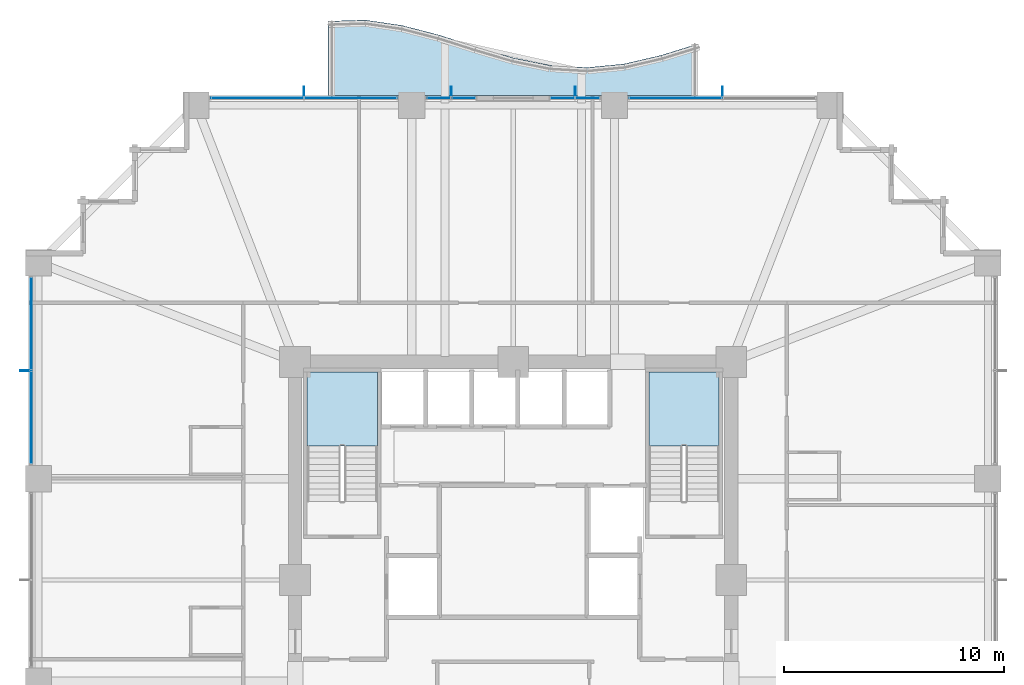
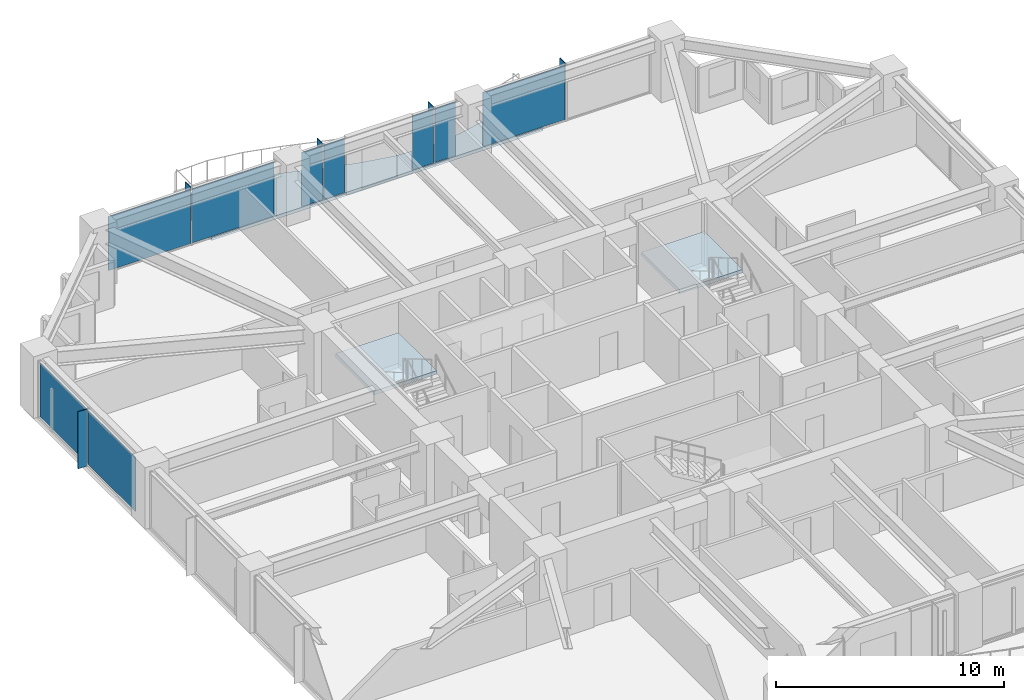
# One storey, part 30 of 38: 14 plates, 3 slabs, 7 elements without a shape of their own.
"""IFC4 building model written with IfcOpenShell, lengths in metres."""

from ifc_helpers import new_model, si_unit, direction, frame, origin, origin_2d, place, context, subcontext, project, spatial, polyline, rectangle, outline, extrude, material, layer, layer_set, type_object, element, aggregate, save


model = new_model("IFC4")

# Units and contexts
model_context = context("Model", 3, precision=1e-05, world=origin(), true_north=direction((0.0, 1.0)))
body_context = subcontext(model_context, "Body", "Model", "MODEL_VIEW")
ifc_project = project(units=[si_unit("LENGTHUNIT", "METRE"), si_unit("AREAUNIT", "SQUARE_METRE"), si_unit("VOLUMEUNIT", "CUBIC_METRE"), si_unit("PLANEANGLEUNIT", "RADIAN"), si_unit("MASSUNIT", "GRAM", prefix="KILO")], contexts=[model_context])

# Site, building, storey
site_placement = place(None, origin())
site = spatial("IfcSite", under=ifc_project, at=site_placement, CompositionType="ELEMENT")
building_placement = place(site_placement, origin())
building = spatial("IfcBuilding", under=site, at=building_placement, Name="Kolvaren Belvedere", CompositionType="ELEMENT")
storey_placement = place(building_placement, frame((0.0, 0.0, 30.39990234375)))
storey = spatial("IfcBuildingStorey", under=building, at=storey_placement, Name="L08", CompositionType="ELEMENT", Elevation=30.39990234375)

# Curtain wall, plates
ifc_material_1 = material(Name="Anodised pale-metal aluminium AA 6063-T6", Category="aluminium")
curtain_wall_type = type_object("IfcCurtainWallType", Name="CW-Z1-LOW", PredefinedType="NOTDEFINED", material=ifc_material_1)
curtain_wall_1_placement = place(storey_placement, origin())
curtain_wall_1 = element("IfcCurtainWall", 1, at=curtain_wall_1_placement, inside=storey, type_object=curtain_wall_type, Name="L08 Unitised Curtain Wall FCW-L08-N1-B1", PredefinedType="NOTDEFINED")
ifc_material_2 = material(Name="Low-iron triple insulated glass", Category="glass")
ifc_layer_1 = layer(ifc_material_2, 0.028076171875)
ifc_layer_set_1 = layer_set([ifc_layer_1], Name="Low-iron triple insulated glass")
plate_type_1 = type_object("IfcPlateType", Name="CW-PNL-VIS28", PredefinedType="CURTAIN_PANEL", material=ifc_layer_set_1)
plate_1_placement = place(storey_placement, frame((-11.62255859375, 21.8798828125, 0.080078125), z_axis=(0.0, 0.0, 1.0), x_axis=(1.0, 0.0, 0.0)))
plate_1 = element("IfcPlate", 2, at=plate_1_placement, type_object=plate_type_1, Name="FCW-L08-N1-B1 Vision Glazing Panel 1", PredefinedType="CURTAIN_PANEL", context=body_context, shape_type="SweptSolid", body=[
    extrude(rectangle(XDim=4.1650390625, YDim=0.028076171875, at=origin_2d()), origin(), (0.0, 0.0, 1.0), 2.89990234375),
])
plate_2_placement = place(storey_placement, frame((-7.37744140625, 21.8798828125, 0.080078125), z_axis=(0.0, 0.0, 1.0), x_axis=(1.0, 0.0, 0.0)))
plate_2 = element("IfcPlate", 3, at=plate_2_placement, type_object=plate_type_1, Name="FCW-L08-N1-B1 Vision Glazing Panel 2", PredefinedType="CURTAIN_PANEL", context=body_context, shape_type="SweptSolid", body=[
    extrude(rectangle(XDim=4.1650390625, YDim=0.028076171875, at=origin_2d()), origin(), (0.0, 0.0, 1.0), 2.89990234375),
])
aggregate(curtain_wall_1, [plate_1, plate_2])

curtain_wall_2_placement = place(storey_placement, origin())
curtain_wall_2 = element("IfcCurtainWall", 4, at=curtain_wall_2_placement, inside=storey, type_object=curtain_wall_type, Name="L08 Unitised Curtain Wall FCW-L08-N1-B2", PredefinedType="NOTDEFINED")
plate_3_placement = place(storey_placement, frame((-3.37890625, 21.8798828125, 0.080078125), z_axis=(0.0, 0.0, 1.0), x_axis=(1.0, 0.0, 0.0)))
plate_3 = element("IfcPlate", 5, at=plate_3_placement, type_object=plate_type_1, Name="FCW-L08-N1-B2 Vision Glazing Panel 1", PredefinedType="CURTAIN_PANEL", context=body_context, shape_type="SweptSolid", body=[
    extrude(rectangle(XDim=1.052490234375, YDim=0.028076171875, at=origin_2d()), origin(), (0.0, 0.0, 1.0), 2.89990234375),
])
plate_4_placement = place(storey_placement, frame((-2.24609375, 21.8798828125, 0.080078125), z_axis=(0.0, 0.0, 1.0), x_axis=(1.0, 0.0, 0.0)))
plate_4 = element("IfcPlate", 6, at=plate_4_placement, type_object=plate_type_1, Name="FCW-L08-N1-B2 Vision Glazing Panel 2", PredefinedType="CURTAIN_PANEL", context=body_context, shape_type="SweptSolid", body=[
    extrude(rectangle(XDim=1.052490234375, YDim=0.028076171875, at=origin_2d()), origin(), (0.0, 0.0, 1.0), 2.89990234375),
])
aggregate(curtain_wall_2, [plate_3, plate_4])

curtain_wall_3_placement = place(storey_placement, origin())
curtain_wall_3 = element("IfcCurtainWall", 7, at=curtain_wall_3_placement, inside=storey, type_object=curtain_wall_type, Name="L08 Unitised Curtain Wall FCW-L08-N2-B1", PredefinedType="NOTDEFINED")
plate_5_placement = place(storey_placement, frame((2.24609375, 21.8798828125, 0.080078125), z_axis=(0.0, 0.0, 1.0), x_axis=(1.0, 0.0, 0.0)))
plate_5 = element("IfcPlate", 8, at=plate_5_placement, type_object=plate_type_1, Name="FCW-L08-N2-B1 Vision Glazing Panel 1", PredefinedType="CURTAIN_PANEL", context=body_context, shape_type="SweptSolid", body=[
    extrude(rectangle(XDim=1.052490234375, YDim=0.028076171875, at=origin_2d()), origin(), (0.0, 0.0, 1.0), 2.89990234375),
])
plate_6_placement = place(storey_placement, frame((3.378662109375, 21.8798828125, 0.080078125), z_axis=(0.0, 0.0, 1.0), x_axis=(1.0, 0.0, 0.0)))
plate_6 = element("IfcPlate", 9, at=plate_6_placement, type_object=plate_type_1, Name="FCW-L08-N2-B1 Vision Glazing Panel 2", PredefinedType="CURTAIN_PANEL", context=body_context, shape_type="SweptSolid", body=[
    extrude(rectangle(XDim=1.052490234375, YDim=0.028076171875, at=origin_2d()), origin(), (0.0, 0.0, 1.0), 2.89990234375),
])
aggregate(curtain_wall_3, [plate_5, plate_6])

# Curtain wall, plate
curtain_wall_4_placement = place(storey_placement, origin())
curtain_wall_4 = element("IfcCurtainWall", 10, at=curtain_wall_4_placement, inside=storey, type_object=curtain_wall_type, Name="L08 Unitised Curtain Wall FCW-L08-N2-B2", PredefinedType="NOTDEFINED")
plate_7_placement = place(storey_placement, frame((7.37744140625, 21.8798828125, 0.080078125), z_axis=(0.0, 0.0, 1.0), x_axis=(1.0, 0.0, 0.0)))
plate_7 = element("IfcPlate", 11, at=plate_7_placement, type_object=plate_type_1, Name="FCW-L08-N2-B2 Vision Glazing Panel 1", PredefinedType="CURTAIN_PANEL", context=body_context, shape_type="SweptSolid", body=[
    extrude(rectangle(XDim=4.1650390625, YDim=0.028076171875, at=origin_2d()), origin(), (0.0, 0.0, 1.0), 2.89990234375),
])
aggregate(curtain_wall_4, [plate_7])

# Curtain wall, plates
curtain_wall_5_placement = place(storey_placement, origin())
curtain_wall_5 = element("IfcCurtainWall", 12, at=curtain_wall_5_placement, inside=storey, type_object=curtain_wall_type, Name="L08 Unitised Curtain Wall FCW-L08-W-B3", PredefinedType="NOTDEFINED")
plate_8_placement = place(storey_placement, frame((-21.8798828125, 7.37744140625, 0.080078125), z_axis=(0.0, 0.0, 1.0), x_axis=(0.0, 1.0, 0.0)))
plate_8 = element("IfcPlate", 13, at=plate_8_placement, type_object=plate_type_1, Name="FCW-L08-W-B3 Vision Glazing Panel 1", PredefinedType="CURTAIN_PANEL", context=body_context, shape_type="SweptSolid", body=[
    extrude(rectangle(XDim=4.1650390625, YDim=0.028076171875, at=origin_2d()), origin(), (0.0, 0.0, 1.0), 2.89990234375),
])
plate_9_placement = place(storey_placement, frame((-21.8798828125, 11.62255859375, 0.080078125), z_axis=(0.0, 0.0, 1.0), x_axis=(0.0, 1.0, 0.0)))
plate_9 = element("IfcPlate", 14, at=plate_9_placement, type_object=plate_type_1, Name="FCW-L08-W-B3 Vision Glazing Panel 2", PredefinedType="CURTAIN_PANEL", context=body_context, shape_type="SweptSolid", body=[
    extrude(rectangle(XDim=4.1650390625, YDim=0.028076171875, at=origin_2d()), origin(), (0.0, 0.0, 1.0), 2.89990234375),
])
aggregate(curtain_wall_5, [plate_8, plate_9])

# Plates
ifc_material_3 = material(Name="Anodised pale-metal aluminium AA 6063-T6", Category="aluminium")
ifc_layer_2 = layer(ifc_material_3, 0.0380859375)
ifc_layer_set_2 = layer_set([ifc_layer_2], Name="Anodised pale-metal aluminium AA 6063-T6")
plate_type_2 = type_object("IfcPlateType", Name="FIN-VERT-450", PredefinedType="USERDEFINED", material=ifc_layer_set_2)
for number, where, z_axis, x_axis, name in (
    (15, (-9.5, 22.1650390625, 0.0), (0.0, 0.0, 1.0), (0.0, 1.0, 0.0), "L08 Pale-Metal Vertical Shading Fin FCW-L08-N1-B1-1"),
    (16, (-2.8125, 22.1650390625, 0.0), (0.0, 0.0, 1.0), (0.0, 1.0, 0.0), "L08 Pale-Metal Vertical Shading Fin FCW-L08-N1-B2-1"),
    (17, (2.8125, 22.1650390625, 0.0), (0.0, 0.0, 1.0), (0.0, 1.0, 0.0), "L08 Pale-Metal Vertical Shading Fin FCW-L08-N2-B1-1"),
    (18, (9.5, 22.1650390625, 0.0), (0.0, 0.0, 1.0), (0.0, 1.0, 0.0), "L08 Pale-Metal Vertical Shading Fin FCW-L08-N2-B2-1"),
    (19, (-22.1650390625, 9.5, 0.0), (0.0, 0.0, 1.0), (1.0, 0.0, 0.0), "L08 Pale-Metal Vertical Shading Fin FCW-L08-W-B3-1"),
):
    element("IfcPlate", number, at=place(storey_placement, frame(where, z_axis=z_axis, x_axis=x_axis)), inside=storey, type_object=plate_type_2, Name=name, ObjectType="VERTICAL FIN", PredefinedType="USERDEFINED", context=body_context, shape_type="SweptSolid", body=[
        extrude(rectangle(XDim=0.449951171875, YDim=0.0380859375, at=origin_2d()), origin(), (0.0, 0.0, 1.0), 3.06005859375),
    ])

# Slab
ifc_material_4 = material(Name="Concrete C50/60", Category="concrete")
ifc_layer_3 = layer(ifc_material_4, 0.179931640625)
ifc_layer_set_3 = layer_set([ifc_layer_3], Name="Concrete C50/60")
slab_type_1 = type_object("IfcSlabType", Name="SL-BAL-180", PredefinedType="FLOOR", material=ifc_layer_set_3)
slab_1_placement = place(storey_placement, frame((0.0, 0.0, -0.239990234375)))
element("IfcSlab", 20, at=slab_1_placement, inside=storey, type_object=slab_type_1, Name="L08 Planted Balcony BAL-N", PredefinedType="FLOOR", context=body_context, shape_type="SweptSolid", body=[
    extrude(outline(polyline([(-8.39990234375, 22.0), (-6.719970703125, 22.0), (-5.0400390625, 22.0), (-3.360107421875, 22.0), (-1.679931640625, 22.0), (0.0, 22.0), (1.679931640625, 22.0), (3.360107421875, 22.0), (5.0400390625, 22.0), (6.719970703125, 22.0), (8.39990234375, 22.0), (8.39990234375, 24.340087890625), (6.719970703125, 23.819580078125), (5.0400390625, 23.427978515625), (3.360107421875, 23.26220703125), (1.679931640625, 23.36279296875), (0.0, 23.705078125), (-1.679931640625, 24.20458984375), (-3.360107421875, 24.737548828125), (-5.0400390625, 25.172119140625), (-6.719970703125, 25.419921875), (-8.39990234375, 25.3671875), (-8.39990234375, 22.0)])), origin(), (0.0, 0.0, 1.0), 0.18017578125),
])

# Stair, slab
ifc_material_5 = material(Name="Concrete C50/60", Category="concrete")
stair_type = type_object("IfcStairType", Name="ST-CORE-1520", PredefinedType="HALF_TURN_STAIR", material=ifc_material_5)
stair_1_placement = place(storey_placement, origin())
stair_1 = element("IfcStair", 21, at=stair_1_placement, inside=storey, type_object=stair_type, Name="L08 Protected Exit Stair ST-1", PredefinedType="HALF_TURN_STAIR")
ifc_material_6 = material(Name="Concrete C50/60", Category="concrete")
ifc_layer_4 = layer(ifc_material_6, 0.260009765625)
ifc_layer_set_4 = layer_set([ifc_layer_4], Name="Concrete C50/60")
slab_type_2 = type_object("IfcSlabType", Name="SL-LAND-260", PredefinedType="LANDING", material=ifc_layer_set_4)
slab_2_placement = place(storey_placement, frame((0.0, 0.0, 1.4501953125)))
slab_2 = element("IfcSlab", 22, at=slab_2_placement, type_object=slab_type_2, Name="ST-1 landing 1", PredefinedType="LANDING", context=body_context, shape_type="SweptSolid", body=[
    extrude(outline(polyline([(-6.159912109375, 6.090087890625), (-6.159912109375, 9.449951171875), (-9.35009765625, 9.449951171875), (-9.35009765625, 6.090087890625), (-6.159912109375, 6.090087890625)])), origin(), (0.0, 0.0, 1.0), 0.199951171875),
])
aggregate(stair_1, [slab_2])

stair_2_placement = place(storey_placement, origin())
stair_2 = element("IfcStair", 23, at=stair_2_placement, inside=storey, type_object=stair_type, Name="L08 Protected Exit Stair ST-2", PredefinedType="HALF_TURN_STAIR")
slab_3_placement = place(storey_placement, frame((0.0, 0.0, 1.4501953125)))
slab_3 = element("IfcSlab", 24, at=slab_3_placement, type_object=slab_type_2, Name="ST-2 landing 1", PredefinedType="LANDING", context=body_context, shape_type="SweptSolid", body=[
    extrude(outline(polyline([(9.35009765625, 6.090087890625), (9.35009765625, 9.449951171875), (6.159912109375, 9.449951171875), (6.159912109375, 6.090087890625), (9.35009765625, 6.090087890625)])), origin(), (0.0, 0.0, 1.0), 0.199951171875),
])
aggregate(stair_2, [slab_3])

save(model, "model.ifc")
